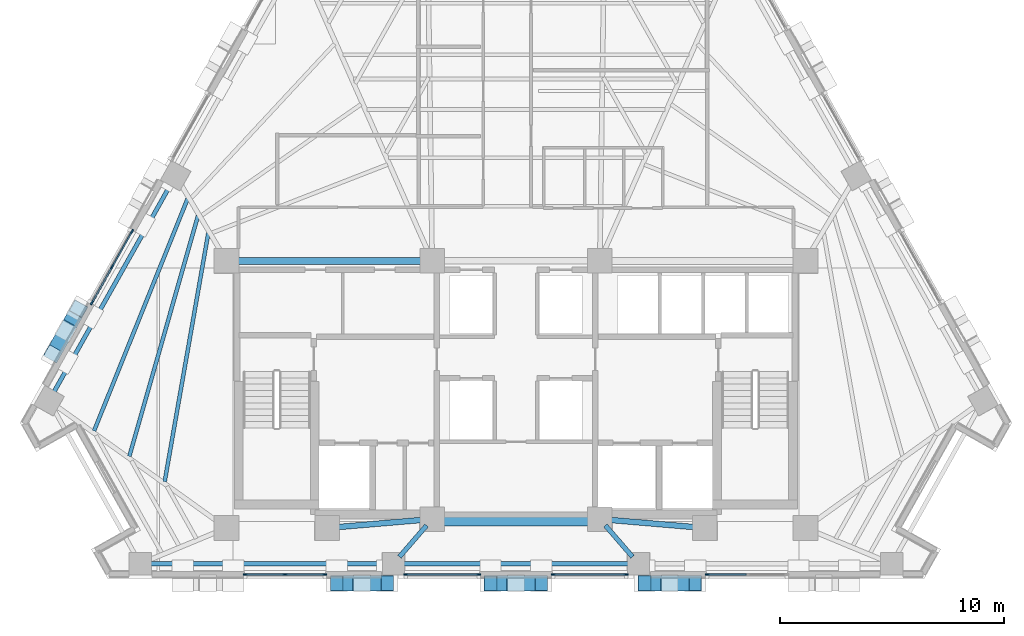
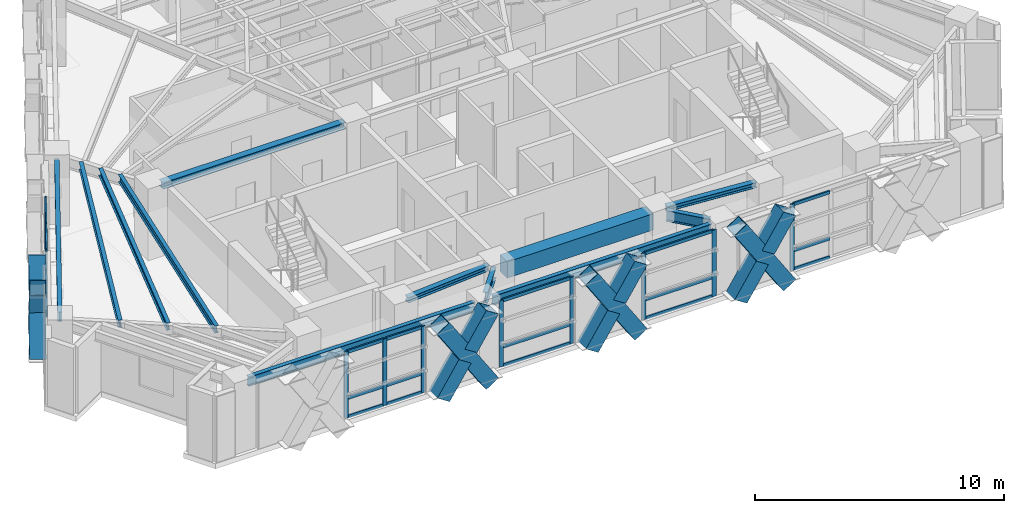
# One storey, part 2 of 14: 44 members, 12 beams, 5 elements without a shape of their own.
"""IFC4 building model written with IfcOpenShell, lengths in metres."""

from ifc_helpers import new_model, si_unit, direction, frame, origin, origin_2d, place, context, subcontext, project, spatial, rectangle, hollow_rectangle, i_section, extrude, material, material_profile, profile_set, type_object, element, aggregate, save


model = new_model("IFC4")

# Units and contexts
model_context = context("Model", 3, precision=1e-05, world=origin(), true_north=direction((0.0, 1.0)))
body_context = subcontext(model_context, "Body", "Model", "MODEL_VIEW")
ifc_project = project(units=[si_unit("LENGTHUNIT", "METRE"), si_unit("AREAUNIT", "SQUARE_METRE"), si_unit("VOLUMEUNIT", "CUBIC_METRE"), si_unit("PLANEANGLEUNIT", "RADIAN"), si_unit("MASSUNIT", "GRAM", prefix="KILO")], contexts=[model_context])

# Site, building, storey
site_placement = place(None, origin())
site = spatial("IfcSite", under=ifc_project, at=site_placement, CompositionType="ELEMENT")
building_placement = place(site_placement, origin())
building = spatial("IfcBuilding", under=site, at=building_placement, Name="Quenlor Broadcast Tower", CompositionType="ELEMENT")
storey_placement = place(building_placement, frame((0.0, 0.0, 144.0)))
storey = spatial("IfcBuildingStorey", under=building, at=storey_placement, Name="L39", CompositionType="ELEMENT", Elevation=144.0)

# Curtain wall, member
ifc_material_1 = material(Name="Architectural Terracotta and Low-E Glazing", Category="masonry")
curtain_wall_type = type_object("IfcCurtainWallType", Name="Unitised Terracotta Curtain Wall System Z3", PredefinedType="NOTDEFINED", material=ifc_material_1)
curtain_wall_1_placement = place(storey_placement, origin())
curtain_wall_1 = element("IfcCurtainWall", 1, at=curtain_wall_1_placement, inside=storey, type_object=curtain_wall_type, Name="L39 Curtain Wall CW3 (L39-SA-G1)", PredefinedType="NOTDEFINED")
ifc_material_2 = material(Name="Aluminium 6063-T6", Category="aluminium")
ifc_material_profile_1 = material_profile(ifc_material_2, rectangle(XDim=0.070068359375, YDim=0.18994140625, at=origin_2d()))
ifc_profile_set_1 = profile_set([ifc_material_profile_1], Name="Aluminium 6063-T6 MULL70x190")
member_type_1 = type_object("IfcMemberType", Name="CW3 Aluminium Mullion MULL_CW3", PredefinedType="MULLION", material=ifc_profile_set_1)
member_1_placement = place(storey_placement, frame((8.550048828125, -18.824951171875, 0.0), z_axis=(0.0, 0.0, 1.0), x_axis=(0.0, -1.0, 0.0)))
member_1 = element("IfcMember", 2, at=member_1_placement, type_object=member_type_1, Name="CW3 mullion 3", PredefinedType="MULLION", context=body_context, shape_type="SweptSolid", body=[
    extrude(rectangle(XDim=0.070068359375, YDim=0.18994140625, at=origin_2d()), origin(), (0.0, 0.0, 1.0), 3.25),
])

# Curtain wall, members
curtain_wall_2_placement = place(storey_placement, origin())
curtain_wall_2 = element("IfcCurtainWall", 3, at=curtain_wall_2_placement, inside=storey, type_object=curtain_wall_type, Name="L39 Curtain Wall CW3 (L39-SC-G1)", PredefinedType="NOTDEFINED")
member_2_placement = place(storey_placement, frame((-8.550048828125, -18.824951171875, 0.0), z_axis=(0.0, 0.0, 1.0), x_axis=(0.0, -1.0, 0.0)))
member_2 = element("IfcMember", 4, at=member_2_placement, type_object=member_type_1, Name="CW3 mullion 1", PredefinedType="MULLION", context=body_context, shape_type="SweptSolid", body=[
    extrude(rectangle(XDim=0.070068359375, YDim=0.18994140625, at=origin_2d()), origin(), (0.0, 0.0, 1.0), 3.25),
])
member_3_placement = place(storey_placement, frame((-10.33203125, -18.824951171875, 0.0), z_axis=(0.0, 0.0, 1.0), x_axis=(0.0, -1.0, 0.0)))
member_3 = element("IfcMember", 5, at=member_3_placement, type_object=member_type_1, Name="CW3 mullion 2", PredefinedType="MULLION", context=body_context, shape_type="SweptSolid", body=[
    extrude(rectangle(XDim=0.070068359375, YDim=0.18994140625, at=origin_2d()), origin(), (0.0, 0.0, 1.0), 3.25),
])
member_4_placement = place(storey_placement, frame((-12.114013671875, -18.824951171875, 0.0), z_axis=(0.0, 0.0, 1.0), x_axis=(0.0, -1.0, 0.0)))
member_4 = element("IfcMember", 6, at=member_4_placement, type_object=member_type_1, Name="CW3 mullion 3", PredefinedType="MULLION", context=body_context, shape_type="SweptSolid", body=[
    extrude(rectangle(XDim=0.070068359375, YDim=0.18994140625, at=origin_2d()), origin(), (0.0, 0.0, 1.0), 3.25),
])

curtain_wall_3_placement = place(storey_placement, origin())
curtain_wall_3 = element("IfcCurtainWall", 7, at=curtain_wall_3_placement, inside=storey, type_object=curtain_wall_type, Name="L39 Curtain Wall CW3 (L39-S-G1)", PredefinedType="NOTDEFINED")
member_5_placement = place(storey_placement, frame((4.926025390625, -18.824951171875, 0.0), z_axis=(0.0, 0.0, 1.0), x_axis=(0.0, -1.0, 0.0)))
member_5 = element("IfcMember", 8, at=member_5_placement, type_object=member_type_1, Name="CW3 mullion 1", PredefinedType="MULLION", context=body_context, shape_type="SweptSolid", body=[
    extrude(rectangle(XDim=0.070068359375, YDim=0.18994140625, at=origin_2d()), origin(), (0.0, 0.0, 1.0), 3.25),
])
member_6_placement = place(storey_placement, frame((1.662109375, -18.824951171875, 0.0), z_axis=(0.0, 0.0, 1.0), x_axis=(0.0, -1.0, 0.0)))
member_6 = element("IfcMember", 9, at=member_6_placement, type_object=member_type_1, Name="CW3 mullion 2", PredefinedType="MULLION", context=body_context, shape_type="SweptSolid", body=[
    extrude(rectangle(XDim=0.070068359375, YDim=0.18994140625, at=origin_2d()), origin(), (0.0, 0.0, 1.0), 3.25),
])

curtain_wall_4_placement = place(storey_placement, origin())
curtain_wall_4 = element("IfcCurtainWall", 10, at=curtain_wall_4_placement, inside=storey, type_object=curtain_wall_type, Name="L39 Curtain Wall CW3 (L39-S-G2)", PredefinedType="NOTDEFINED")
member_7_placement = place(storey_placement, frame((-1.662109375, -18.824951171875, 0.0), z_axis=(0.0, 0.0, 1.0), x_axis=(0.0, -1.0, 0.0)))
member_7 = element("IfcMember", 11, at=member_7_placement, type_object=member_type_1, Name="CW3 mullion 1", PredefinedType="MULLION", context=body_context, shape_type="SweptSolid", body=[
    extrude(rectangle(XDim=0.070068359375, YDim=0.18994140625, at=origin_2d()), origin(), (0.0, 0.0, 1.0), 3.25),
])
member_8_placement = place(storey_placement, frame((-4.926025390625, -18.824951171875, 0.0), z_axis=(0.0, 0.0, 1.0), x_axis=(0.0, -1.0, 0.0)))
member_8 = element("IfcMember", 12, at=member_8_placement, type_object=member_type_1, Name="CW3 mullion 2", PredefinedType="MULLION", context=body_context, shape_type="SweptSolid", body=[
    extrude(rectangle(XDim=0.070068359375, YDim=0.18994140625, at=origin_2d()), origin(), (0.0, 0.0, 1.0), 3.25),
])

curtain_wall_5_placement = place(storey_placement, origin())
curtain_wall_5 = element("IfcCurtainWall", 13, at=curtain_wall_5_placement, inside=storey, type_object=curtain_wall_type, Name="L39 Curtain Wall CW3 (L39-NWA-G1)", PredefinedType="NOTDEFINED")
member_9_placement = place(storey_placement, frame((-18.9677734375, -6.677490234375, 0.0), z_axis=(0.0, 0.0, 1.0), x_axis=(-0.871576967495, 0.490258696743, 0.0)))
member_9 = element("IfcMember", 14, at=member_9_placement, type_object=member_type_1, Name="CW3 mullion 1", PredefinedType="MULLION", context=body_context, shape_type="SweptSolid", body=[
    extrude(rectangle(XDim=0.070068359375, YDim=0.18994140625, at=origin_2d()), origin(), (0.0, 0.0, 1.0), 3.25),
])
member_10_placement = place(storey_placement, frame((-18.069580078125, -5.080810546875, 0.0), z_axis=(0.0, 0.0, 1.0), x_axis=(-0.871576967495, 0.490258696743, 0.0)))
member_10 = element("IfcMember", 15, at=member_10_placement, type_object=member_type_1, Name="CW3 mullion 2", PredefinedType="MULLION", context=body_context, shape_type="SweptSolid", body=[
    extrude(rectangle(XDim=0.070068359375, YDim=0.18994140625, at=origin_2d()), origin(), (0.0, 0.0, 1.0), 3.25),
])
member_11_placement = place(storey_placement, frame((-17.17138671875, -3.48388671875, 0.0), z_axis=(0.0, 0.0, 1.0), x_axis=(-0.871576967495, 0.490258696743, 0.0)))
member_11 = element("IfcMember", 16, at=member_11_placement, type_object=member_type_1, Name="CW3 mullion 3", PredefinedType="MULLION", context=body_context, shape_type="SweptSolid", body=[
    extrude(rectangle(XDim=0.070068359375, YDim=0.18994140625, at=origin_2d()), origin(), (0.0, 0.0, 1.0), 3.25),
])

# Member
ifc_material_3 = material(Name="Aluminium 6063-T6", Category="aluminium")
ifc_material_profile_2 = material_profile(ifc_material_3, rectangle(XDim=0.070068359375, YDim=0.155029296875, at=origin_2d()))
ifc_profile_set_2 = profile_set([ifc_material_profile_2], Name="Aluminium 6063-T6 TRAN70x155")
member_type_2 = type_object("IfcMemberType", Name="CW3 Aluminium Transom TRAN_CW3", PredefinedType="USERDEFINED", material=ifc_profile_set_2)
member_12_placement = place(storey_placement, frame((10.297119140625, -18.824951171875, 0.034912109375), z_axis=(-1.0, 0.0, 0.0), x_axis=(0.0, -1.0, 0.0)))
member_12 = element("IfcMember", 17, at=member_12_placement, type_object=member_type_2, Name="CW3 transom 2.1", ObjectType="TRANSOM", PredefinedType="USERDEFINED", context=body_context, shape_type="SweptSolid", body=[
    extrude(rectangle(XDim=0.070068359375, YDim=0.155029296875, at=origin_2d()), origin(), (0.0, 0.0, 1.0), 1.712158203125),
])

member_13_placement = place(storey_placement, frame((10.297119140625, -18.824951171875, 0.949951171875), z_axis=(-1.0, 0.0, 0.0), x_axis=(0.0, -1.0, 0.0)))
member_13 = element("IfcMember", 18, at=member_13_placement, type_object=member_type_2, Name="CW3 transom 2.2", ObjectType="TRANSOM", PredefinedType="USERDEFINED", context=body_context, shape_type="SweptSolid", body=[
    extrude(rectangle(XDim=0.070068359375, YDim=0.155029296875, at=origin_2d()), origin(), (0.0, 0.0, 1.0), 1.712158203125),
])

member_14_placement = place(storey_placement, frame((10.297119140625, -18.824951171875, 3.215087890625), z_axis=(-1.0, 0.0, 0.0), x_axis=(0.0, -1.0, 0.0)))
member_14 = element("IfcMember", 19, at=member_14_placement, type_object=member_type_2, Name="CW3 transom 2.3", ObjectType="TRANSOM", PredefinedType="USERDEFINED", context=body_context, shape_type="SweptSolid", body=[
    extrude(rectangle(XDim=0.070068359375, YDim=0.155029296875, at=origin_2d()), origin(), (0.0, 0.0, 1.0), 1.712158203125),
])

aggregate(curtain_wall_1, [member_1, member_12, member_13, member_14])

member_15_placement = place(storey_placement, frame((-8.5849609375, -18.824951171875, 0.034912109375), z_axis=(-1.0, 0.0, 0.0), x_axis=(0.0, -1.0, 0.0)))
member_15 = element("IfcMember", 20, at=member_15_placement, type_object=member_type_2, Name="CW3 transom 1.1", ObjectType="TRANSOM", PredefinedType="USERDEFINED", context=body_context, shape_type="SweptSolid", body=[
    extrude(rectangle(XDim=0.070068359375, YDim=0.155029296875, at=origin_2d()), origin(), (0.0, 0.0, 1.0), 1.712158203125),
])

member_16_placement = place(storey_placement, frame((-8.5849609375, -18.824951171875, 0.949951171875), z_axis=(-1.0, 0.0, 0.0), x_axis=(0.0, -1.0, 0.0)))
member_16 = element("IfcMember", 21, at=member_16_placement, type_object=member_type_2, Name="CW3 transom 1.2", ObjectType="TRANSOM", PredefinedType="USERDEFINED", context=body_context, shape_type="SweptSolid", body=[
    extrude(rectangle(XDim=0.070068359375, YDim=0.155029296875, at=origin_2d()), origin(), (0.0, 0.0, 1.0), 1.712158203125),
])

member_17_placement = place(storey_placement, frame((-8.5849609375, -18.824951171875, 3.215087890625), z_axis=(-1.0, 0.0, 0.0), x_axis=(0.0, -1.0, 0.0)))
member_17 = element("IfcMember", 22, at=member_17_placement, type_object=member_type_2, Name="CW3 transom 1.3", ObjectType="TRANSOM", PredefinedType="USERDEFINED", context=body_context, shape_type="SweptSolid", body=[
    extrude(rectangle(XDim=0.070068359375, YDim=0.155029296875, at=origin_2d()), origin(), (0.0, 0.0, 1.0), 1.712158203125),
])

member_18_placement = place(storey_placement, frame((-10.366943359375, -18.824951171875, 0.034912109375), z_axis=(-1.0, 0.0, 0.0), x_axis=(0.0, -1.0, 0.0)))
member_18 = element("IfcMember", 23, at=member_18_placement, type_object=member_type_2, Name="CW3 transom 2.1", ObjectType="TRANSOM", PredefinedType="USERDEFINED", context=body_context, shape_type="SweptSolid", body=[
    extrude(rectangle(XDim=0.070068359375, YDim=0.155029296875, at=origin_2d()), origin(), (0.0, 0.0, 1.0), 1.712158203125),
])

member_19_placement = place(storey_placement, frame((-10.366943359375, -18.824951171875, 0.949951171875), z_axis=(-1.0, 0.0, 0.0), x_axis=(0.0, -1.0, 0.0)))
member_19 = element("IfcMember", 24, at=member_19_placement, type_object=member_type_2, Name="CW3 transom 2.2", ObjectType="TRANSOM", PredefinedType="USERDEFINED", context=body_context, shape_type="SweptSolid", body=[
    extrude(rectangle(XDim=0.070068359375, YDim=0.155029296875, at=origin_2d()), origin(), (0.0, 0.0, 1.0), 1.712158203125),
])

member_20_placement = place(storey_placement, frame((-10.366943359375, -18.824951171875, 3.215087890625), z_axis=(-1.0, 0.0, 0.0), x_axis=(0.0, -1.0, 0.0)))
member_20 = element("IfcMember", 25, at=member_20_placement, type_object=member_type_2, Name="CW3 transom 2.3", ObjectType="TRANSOM", PredefinedType="USERDEFINED", context=body_context, shape_type="SweptSolid", body=[
    extrude(rectangle(XDim=0.070068359375, YDim=0.155029296875, at=origin_2d()), origin(), (0.0, 0.0, 1.0), 1.712158203125),
])

aggregate(curtain_wall_2, [member_2, member_3, member_4, member_15, member_16, member_17, member_18, member_19, member_20])

member_21_placement = place(storey_placement, frame((4.89111328125, -18.824951171875, 0.034912109375), z_axis=(-1.0, 0.0, 0.0), x_axis=(0.0, -1.0, 0.0)))
member_21 = element("IfcMember", 26, at=member_21_placement, type_object=member_type_2, Name="CW3 transom 1.1", ObjectType="TRANSOM", PredefinedType="USERDEFINED", context=body_context, shape_type="SweptSolid", body=[
    extrude(rectangle(XDim=0.070068359375, YDim=0.155029296875, at=origin_2d()), origin(), (0.0, 0.0, 1.0), 3.194091796875),
])

member_22_placement = place(storey_placement, frame((4.89111328125, -18.824951171875, 0.949951171875), z_axis=(-1.0, 0.0, 0.0), x_axis=(0.0, -1.0, 0.0)))
member_22 = element("IfcMember", 27, at=member_22_placement, type_object=member_type_2, Name="CW3 transom 1.2", ObjectType="TRANSOM", PredefinedType="USERDEFINED", context=body_context, shape_type="SweptSolid", body=[
    extrude(rectangle(XDim=0.070068359375, YDim=0.155029296875, at=origin_2d()), origin(), (0.0, 0.0, 1.0), 3.194091796875),
])

member_23_placement = place(storey_placement, frame((4.89111328125, -18.824951171875, 3.215087890625), z_axis=(-1.0, 0.0, 0.0), x_axis=(0.0, -1.0, 0.0)))
member_23 = element("IfcMember", 28, at=member_23_placement, type_object=member_type_2, Name="CW3 transom 1.3", ObjectType="TRANSOM", PredefinedType="USERDEFINED", context=body_context, shape_type="SweptSolid", body=[
    extrude(rectangle(XDim=0.070068359375, YDim=0.155029296875, at=origin_2d()), origin(), (0.0, 0.0, 1.0), 3.194091796875),
])

aggregate(curtain_wall_3, [member_5, member_6, member_21, member_22, member_23])

member_24_placement = place(storey_placement, frame((-1.697021484375, -18.824951171875, 0.034912109375), z_axis=(-1.0, 0.0, 0.0), x_axis=(0.0, -1.0, 0.0)))
member_24 = element("IfcMember", 29, at=member_24_placement, type_object=member_type_2, Name="CW3 transom 1.1", ObjectType="TRANSOM", PredefinedType="USERDEFINED", context=body_context, shape_type="SweptSolid", body=[
    extrude(rectangle(XDim=0.070068359375, YDim=0.155029296875, at=origin_2d()), origin(), (0.0, 0.0, 1.0), 3.194091796875),
])

member_25_placement = place(storey_placement, frame((-1.697021484375, -18.824951171875, 0.949951171875), z_axis=(-1.0, 0.0, 0.0), x_axis=(0.0, -1.0, 0.0)))
member_25 = element("IfcMember", 30, at=member_25_placement, type_object=member_type_2, Name="CW3 transom 1.2", ObjectType="TRANSOM", PredefinedType="USERDEFINED", context=body_context, shape_type="SweptSolid", body=[
    extrude(rectangle(XDim=0.070068359375, YDim=0.155029296875, at=origin_2d()), origin(), (0.0, 0.0, 1.0), 3.194091796875),
])

member_26_placement = place(storey_placement, frame((-1.697021484375, -18.824951171875, 3.215087890625), z_axis=(-1.0, 0.0, 0.0), x_axis=(0.0, -1.0, 0.0)))
member_26 = element("IfcMember", 31, at=member_26_placement, type_object=member_type_2, Name="CW3 transom 1.3", ObjectType="TRANSOM", PredefinedType="USERDEFINED", context=body_context, shape_type="SweptSolid", body=[
    extrude(rectangle(XDim=0.070068359375, YDim=0.155029296875, at=origin_2d()), origin(), (0.0, 0.0, 1.0), 3.194091796875),
])

aggregate(curtain_wall_4, [member_7, member_8, member_24, member_25, member_26])

member_27_placement = place(storey_placement, frame((-18.95068359375, -6.64697265625, 0.034912109375), z_axis=(0.490188879637, 0.871616235668, 0.0), x_axis=(-0.871616235668, 0.490188879637, 0.0)))
member_27 = element("IfcMember", 32, at=member_27_placement, type_object=member_type_2, Name="CW3 transom 1.1", ObjectType="TRANSOM", PredefinedType="USERDEFINED", context=body_context, shape_type="SweptSolid", body=[
    extrude(rectangle(XDim=0.070068359375, YDim=0.155029296875, at=origin_2d()), origin(), (0.0, 0.0, 1.0), 1.76220703125),
])

member_28_placement = place(storey_placement, frame((-18.95068359375, -6.64697265625, 0.949951171875), z_axis=(0.490188879637, 0.871616235668, 0.0), x_axis=(-0.871616235668, 0.490188879637, 0.0)))
member_28 = element("IfcMember", 33, at=member_28_placement, type_object=member_type_2, Name="CW3 transom 1.2", ObjectType="TRANSOM", PredefinedType="USERDEFINED", context=body_context, shape_type="SweptSolid", body=[
    extrude(rectangle(XDim=0.070068359375, YDim=0.155029296875, at=origin_2d()), origin(), (0.0, 0.0, 1.0), 1.76220703125),
])

member_29_placement = place(storey_placement, frame((-18.95068359375, -6.64697265625, 3.215087890625), z_axis=(0.490188879637, 0.871616235668, 0.0), x_axis=(-0.871616235668, 0.490188879637, 0.0)))
member_29 = element("IfcMember", 34, at=member_29_placement, type_object=member_type_2, Name="CW3 transom 1.3", ObjectType="TRANSOM", PredefinedType="USERDEFINED", context=body_context, shape_type="SweptSolid", body=[
    extrude(rectangle(XDim=0.070068359375, YDim=0.155029296875, at=origin_2d()), origin(), (0.0, 0.0, 1.0), 1.76220703125),
])

member_30_placement = place(storey_placement, frame((-18.052490234375, -5.05029296875, 0.034912109375), z_axis=(0.490188879637, 0.871616235668, 0.0), x_axis=(-0.871616235668, 0.490188879637, 0.0)))
member_30 = element("IfcMember", 35, at=member_30_placement, type_object=member_type_2, Name="CW3 transom 2.1", ObjectType="TRANSOM", PredefinedType="USERDEFINED", context=body_context, shape_type="SweptSolid", body=[
    extrude(rectangle(XDim=0.070068359375, YDim=0.155029296875, at=origin_2d()), origin(), (0.0, 0.0, 1.0), 1.76220703125),
])

member_31_placement = place(storey_placement, frame((-18.052490234375, -5.05029296875, 0.949951171875), z_axis=(0.490188879637, 0.871616235668, 0.0), x_axis=(-0.871616235668, 0.490188879637, 0.0)))
member_31 = element("IfcMember", 36, at=member_31_placement, type_object=member_type_2, Name="CW3 transom 2.2", ObjectType="TRANSOM", PredefinedType="USERDEFINED", context=body_context, shape_type="SweptSolid", body=[
    extrude(rectangle(XDim=0.070068359375, YDim=0.155029296875, at=origin_2d()), origin(), (0.0, 0.0, 1.0), 1.76220703125),
])

member_32_placement = place(storey_placement, frame((-18.052490234375, -5.05029296875, 3.215087890625), z_axis=(0.490188879637, 0.871616235668, 0.0), x_axis=(-0.871616235668, 0.490188879637, 0.0)))
member_32 = element("IfcMember", 37, at=member_32_placement, type_object=member_type_2, Name="CW3 transom 2.3", ObjectType="TRANSOM", PredefinedType="USERDEFINED", context=body_context, shape_type="SweptSolid", body=[
    extrude(rectangle(XDim=0.070068359375, YDim=0.155029296875, at=origin_2d()), origin(), (0.0, 0.0, 1.0), 1.76220703125),
])

aggregate(curtain_wall_5, [member_9, member_10, member_11, member_27, member_28, member_29, member_30, member_31, member_32])

# Beams
ifc_material_4 = material(Name="Concrete C50/60", Category="concrete")
ifc_material_profile_3 = material_profile(ifc_material_4, rectangle(XDim=0.60009765625, YDim=0.800048828125, at=origin_2d()))
ifc_profile_set_3 = profile_set([ifc_material_profile_3], Name="Concrete C50/60 RCB600x800")
beam_type_1 = type_object("IfcBeamType", Name="Core Coupling Beam Concrete C50/60 600x800", PredefinedType="BEAM", material=ifc_profile_set_3)
beam_1_placement = place(storey_placement, frame((-3.389892578125, -16.35009765625, 2.85009765625), z_axis=(1.0, 0.0, 0.0), x_axis=(0.0, 1.0, 0.0)))
element("IfcBeam", 38, at=beam_1_placement, inside=storey, type_object=beam_type_1, Name="L39 Core Coupling Beam 6", PredefinedType="BEAM", context=body_context, shape_type="SweptSolid", body=[
    extrude(rectangle(XDim=0.60009765625, YDim=0.800048828125, at=origin_2d()), origin(), (0.0, 0.0, 1.0), 6.77978515625),
])
ifc_material_5 = material(Name="Steel S355", Category="steel")
ifc_material_profile_4 = material_profile(ifc_material_5, i_section(OverallWidth=0.25390625, OverallDepth=0.25390625, WebThickness=0.008544921875, FlangeThickness=0.01416015625, FilletRadius=0.013916015625, at=origin_2d()))
ifc_profile_set_4 = profile_set([ifc_material_profile_4], Name="Steel S355 250UC72.9")
beam_type_2 = type_object("IfcBeamType", Name="Core Opening Lintel Beam Steel S355 250UC72.9", PredefinedType="LINTEL", material=ifc_profile_set_4)
for number, where, z_axis, x_axis, name in (
    (39, (-8.09130859375, -16.719482421875, 3.123046875), (0.996399763903, 0.084779186679, 0.0), (-0.084779186679, 0.996399763903, 0.0), "L39 Core Opening Lintel Beam 4"),
    (40, (4.108642578125, -16.380615234375, 3.123046875), (0.996399763903, -0.084779186679, 0.0), (0.084779186679, 0.996399763903, 0.0), "L39 Core Opening Lintel Beam 5"),
):
    element("IfcBeam", number, at=place(storey_placement, frame(where, z_axis=z_axis, x_axis=x_axis)), inside=storey, type_object=beam_type_2, Name=name, PredefinedType="LINTEL", context=body_context, shape_type="SweptSolid", body=[
        extrude(i_section(OverallWidth=0.25390625, OverallDepth=0.25390625, WebThickness=0.008544921875, FlangeThickness=0.01416015625, FilletRadius=0.013916015625, at=origin_2d()), origin(), (0.0, 0.0, 1.0), 3.9970703125),
    ])
ifc_material_6 = material(Name="Steel S355", Category="steel")
ifc_material_profile_5 = material_profile(ifc_material_6, i_section(OverallWidth=0.306884765625, OverallDepth=0.314697265625, WebThickness=0.011962890625, FlangeThickness=0.018798828125, FilletRadius=0.0166015625, at=origin_2d()))
ifc_profile_set_5 = profile_set([ifc_material_profile_5], Name="Steel S355 310UC118")
beam_type_3 = type_object("IfcBeamType", Name="Core Tie Beam Steel S355 310UC118", PredefinedType="BEAM", material=ifc_profile_set_5)
beam_2_placement = place(storey_placement, frame((-12.590087890625, -4.800048828125, 3.0927734375), z_axis=(1.0, 0.0, 0.0), x_axis=(0.0, 1.0, 0.0)))
element("IfcBeam", 41, at=beam_2_placement, inside=storey, type_object=beam_type_3, Name="L39 Core Tie Beam 1", PredefinedType="BEAM", context=body_context, shape_type="SweptSolid", body=[
    extrude(i_section(OverallWidth=0.306884765625, OverallDepth=0.314697265625, WebThickness=0.011962890625, FlangeThickness=0.018798828125, FilletRadius=0.0166015625, at=origin_2d()), origin(), (0.0, 0.0, 1.0), 8.47998046875),
])

# Members
ifc_material_7 = material(Name="Steel S355", Category="steel")
ifc_material_profile_6 = material_profile(ifc_material_7, hollow_rectangle(XDim=0.679931640625, YDim=0.679931640625, WallThickness=0.02490234375, at=origin_2d()))
ifc_profile_set_6 = profile_set([ifc_material_profile_6], Name="Steel S355 RHS680x680x25")
member_type_3 = type_object("IfcMemberType", Name="Perimeter Diagonal Lattice Brace Z3-Z4 Steel S355 RHS680x25", PredefinedType="BRACE", material=ifc_profile_set_6)
member_33_placement = place(storey_placement, frame((8.022216796875, -19.219970703125, -0.1201171875), z_axis=(-0.543860340502, 0.0, 0.839175744424), x_axis=(0.0, -1.0, 0.0)))
element("IfcMember", 42, at=member_33_placement, inside=storey, type_object=member_type_3, Name="L39 Perimeter Diamond Lattice S-C2XA", PredefinedType="BRACE", context=body_context, shape_type="SweptSolid", body=[
    extrude(hollow_rectangle(XDim=0.679931640625, YDim=0.679931640625, WallThickness=0.02490234375, at=origin_2d()), origin(), (0.0, 0.0, 1.0), 4.170654296875),
])
member_34_placement = place(storey_placement, frame((5.75390625, -19.219970703125, -0.1201171875), z_axis=(0.543786168213, 0.0, 0.839223809994), x_axis=(0.0, 1.0, 0.0)))
element("IfcMember", 43, at=member_34_placement, inside=storey, type_object=member_type_3, Name="L39 Perimeter Diamond Lattice S-C2XB1", PredefinedType="BRACE", context=body_context, shape_type="SweptSolid", body=[
    extrude(hollow_rectangle(XDim=0.679931640625, YDim=0.679931640625, WallThickness=0.02490234375, at=origin_2d()), origin(), (0.0, 0.0, 1.0), 1.83544921875),
])
member_35_placement = place(storey_placement, frame((7.02392578125, -19.219970703125, 1.83984375), z_axis=(0.543940555506, 0.0, 0.839123752539), x_axis=(0.0, 1.0, 0.0)))
element("IfcMember", 44, at=member_35_placement, inside=storey, type_object=member_type_3, Name="L39 Perimeter Diamond Lattice S-C2XB2", PredefinedType="BRACE", context=body_context, shape_type="SweptSolid", body=[
    extrude(hollow_rectangle(XDim=0.679931640625, YDim=0.679931640625, WallThickness=0.02490234375, at=origin_2d()), origin(), (0.0, 0.0, 1.0), 1.835205078125),
])
member_36_placement = place(storey_placement, frame((1.13427734375, -19.219970703125, -0.1201171875), z_axis=(-0.543901560697, 0.0, 0.839149028643), x_axis=(0.0, -1.0, 0.0)))
element("IfcMember", 45, at=member_36_placement, inside=storey, type_object=member_type_3, Name="L39 Perimeter Diamond Lattice S-C3XA", PredefinedType="BRACE", context=body_context, shape_type="SweptSolid", body=[
    extrude(hollow_rectangle(XDim=0.679931640625, YDim=0.679931640625, WallThickness=0.02490234375, at=origin_2d()), origin(), (0.0, 0.0, 1.0), 4.1708984375),
])
member_37_placement = place(storey_placement, frame((-1.13427734375, -19.219970703125, -0.1201171875), z_axis=(0.543879843653, 0.0, 0.83916310433), x_axis=(0.0, 1.0, 0.0)))
element("IfcMember", 46, at=member_37_placement, inside=storey, type_object=member_type_3, Name="L39 Perimeter Diamond Lattice S-C3XB1", PredefinedType="BRACE", context=body_context, shape_type="SweptSolid", body=[
    extrude(hollow_rectangle(XDim=0.679931640625, YDim=0.679931640625, WallThickness=0.02490234375, at=origin_2d()), origin(), (0.0, 0.0, 1.0), 1.83544921875),
])
member_38_placement = place(storey_placement, frame((0.135986328125, -19.219970703125, 1.83984375), z_axis=(0.543940555506, 0.0, 0.839123752539), x_axis=(0.0, 1.0, 0.0)))
element("IfcMember", 47, at=member_38_placement, inside=storey, type_object=member_type_3, Name="L39 Perimeter Diamond Lattice S-C3XB2", PredefinedType="BRACE", context=body_context, shape_type="SweptSolid", body=[
    extrude(hollow_rectangle(XDim=0.679931640625, YDim=0.679931640625, WallThickness=0.02490234375, at=origin_2d()), origin(), (0.0, 0.0, 1.0), 1.835205078125),
])
member_39_placement = place(storey_placement, frame((-5.75390625, -19.219970703125, -0.1201171875), z_axis=(-0.543860340502, 0.0, 0.839175744424), x_axis=(0.0, -1.0, 0.0)))
element("IfcMember", 48, at=member_39_placement, inside=storey, type_object=member_type_3, Name="L39 Perimeter Diamond Lattice S-C4XA", PredefinedType="BRACE", context=body_context, shape_type="SweptSolid", body=[
    extrude(hollow_rectangle(XDim=0.679931640625, YDim=0.679931640625, WallThickness=0.02490234375, at=origin_2d()), origin(), (0.0, 0.0, 1.0), 4.170654296875),
])
member_40_placement = place(storey_placement, frame((-8.022216796875, -19.219970703125, -0.1201171875), z_axis=(0.543879843653, 0.0, 0.83916310433), x_axis=(0.0, 1.0, 0.0)))
element("IfcMember", 49, at=member_40_placement, inside=storey, type_object=member_type_3, Name="L39 Perimeter Diamond Lattice S-C4XB1", PredefinedType="BRACE", context=body_context, shape_type="SweptSolid", body=[
    extrude(hollow_rectangle(XDim=0.679931640625, YDim=0.679931640625, WallThickness=0.02490234375, at=origin_2d()), origin(), (0.0, 0.0, 1.0), 1.83544921875),
])
member_41_placement = place(storey_placement, frame((-6.751953125, -19.219970703125, 1.83984375), z_axis=(0.543846878394, 0.0, 0.839184468911), x_axis=(0.0, 1.0, 0.0)))
element("IfcMember", 50, at=member_41_placement, inside=storey, type_object=member_type_3, Name="L39 Perimeter Diamond Lattice S-C4XB2", PredefinedType="BRACE", context=body_context, shape_type="SweptSolid", body=[
    extrude(hollow_rectangle(XDim=0.679931640625, YDim=0.679931640625, WallThickness=0.02490234375, at=origin_2d()), origin(), (0.0, 0.0, 1.0), 1.835205078125),
])
member_42_placement = place(storey_placement, frame((-20.705810546875, -8.96142578125, -0.1201171875), z_axis=(0.2705491942, 0.481008661973, 0.833926735766), x_axis=(-0.871589611547, 0.490236217596, 0.0)))
element("IfcMember", 51, at=member_42_placement, inside=storey, type_object=member_type_3, Name="L39 Perimeter Diamond Lattice NW-C1XA", PredefinedType="BRACE", context=body_context, shape_type="SweptSolid", body=[
    extrude(hollow_rectangle(XDim=0.679931640625, YDim=0.679931640625, WallThickness=0.02490234375, at=origin_2d()), origin(), (0.0, 0.0, 1.0), 4.197021484375),
])
member_43_placement = place(storey_placement, frame((-19.5703125, -6.942626953125, -0.1201171875), z_axis=(-0.270494026149, -0.481025021111, 0.833935195853), x_axis=(0.871639445711, -0.490147607034, 0.0)))
element("IfcMember", 52, at=member_43_placement, inside=storey, type_object=member_type_3, Name="L39 Perimeter Diamond Lattice NW-C1XB1", PredefinedType="BRACE", context=body_context, shape_type="SweptSolid", body=[
    extrude(hollow_rectangle(XDim=0.679931640625, YDim=0.679931640625, WallThickness=0.02490234375, at=origin_2d()), origin(), (0.0, 0.0, 1.0), 1.848388671875),
])
member_44_placement = place(storey_placement, frame((-20.20556640625, -8.072265625, 1.83837890625), z_axis=(-0.270616433058, -0.481007832697, 0.833905396938), x_axis=(0.871537189362, -0.490329407194, 0.0)))
element("IfcMember", 53, at=member_44_placement, inside=storey, type_object=member_type_3, Name="L39 Perimeter Diamond Lattice NW-C1XB2", PredefinedType="BRACE", context=body_context, shape_type="SweptSolid", body=[
    extrude(hollow_rectangle(XDim=0.679931640625, YDim=0.679931640625, WallThickness=0.02490234375, at=origin_2d()), origin(), (0.0, 0.0, 1.0), 1.8486328125),
])

# Beams
ifc_material_8 = material(Name="Steel S355", Category="steel")
ifc_material_profile_7 = material_profile(ifc_material_8, i_section(OverallWidth=0.19091796875, OverallDepth=0.46044921875, WebThickness=0.010009765625, FlangeThickness=0.01611328125, FilletRadius=0.011474609375, at=origin_2d()))
ifc_profile_set_7 = profile_set([ifc_material_profile_7], Name="Steel S355 460UB82.1")
beam_type_4 = type_object("IfcBeamType", Name="Perimeter Spandrel Beam Z3 Steel S355 460UB82.1", PredefinedType="SPANDREL", material=ifc_profile_set_7)
beam_3_placement = place(storey_placement, frame((-16.3984375, -18.35009765625, 3.019775390625), z_axis=(1.0, 0.0, 0.0), x_axis=(0.0, 1.0, 0.0)))
element("IfcBeam", 54, at=beam_3_placement, inside=storey, type_object=beam_type_4, Name="L39 Spandrel Beam S1-S2", PredefinedType="SPANDREL", context=body_context, shape_type="SweptSolid", body=[
    extrude(i_section(OverallWidth=0.19091796875, OverallDepth=0.46044921875, WebThickness=0.010009765625, FlangeThickness=0.01611328125, FilletRadius=0.011474609375, at=origin_2d()), origin(), (0.0, 0.0, 1.0), 10.50732421875),
])
beam_4_placement = place(storey_placement, frame((-5.071044921875, -18.35009765625, 3.019775390625), z_axis=(1.0, 0.0, 0.0), x_axis=(0.0, 1.0, 0.0)))
element("IfcBeam", 55, at=beam_4_placement, inside=storey, type_object=beam_type_4, Name="L39 Spandrel Beam S2-S3", PredefinedType="SPANDREL", context=body_context, shape_type="SweptSolid", body=[
    extrude(i_section(OverallWidth=0.19091796875, OverallDepth=0.46044921875, WebThickness=0.010009765625, FlangeThickness=0.01611328125, FilletRadius=0.011474609375, at=origin_2d()), origin(), (0.0, 0.0, 1.0), 10.14208984375),
])
beam_5_placement = place(storey_placement, frame((-15.425048828125, -1.347900390625, 3.019775390625), z_axis=(-0.490257999604, -0.871577359633, 0.0), x_axis=(0.871577359633, -0.490257999604, 0.0)))
element("IfcBeam", 56, at=beam_5_placement, inside=storey, type_object=beam_type_4, Name="L39 Spandrel Beam NW3-NW4", PredefinedType="SPANDREL", context=body_context, shape_type="SweptSolid", body=[
    extrude(i_section(OverallWidth=0.19091796875, OverallDepth=0.46044921875, WebThickness=0.010009765625, FlangeThickness=0.01611328125, FilletRadius=0.011474609375, at=origin_2d()), origin(), (0.0, 0.0, 1.0), 10.732666015625),
])
ifc_material_9 = material(Name="Steel S355", Category="steel")
ifc_material_profile_8 = material_profile(ifc_material_9, i_section(OverallWidth=0.172119140625, OverallDepth=0.358642578125, WebThickness=0.008056640625, FlangeThickness=0.012939453125, FilletRadius=0.011474609375, at=origin_2d()))
ifc_profile_set_8 = profile_set([ifc_material_profile_8], Name="Steel S355 360UB56.7")
beam_type_5 = type_object("IfcBeamType", Name="Tower Composite Joist Z2-Z3 Steel S355 360UB56.7", PredefinedType="JOIST", material=ifc_profile_set_8)
beam_6_placement = place(storey_placement, frame((-15.71435546875, -14.679443359375, 3.07080078125), z_axis=(0.172906811417, 0.984938188195, 0.0), x_axis=(-0.984938188195, 0.172906811417, 0.0)))
element("IfcBeam", 57, at=beam_6_placement, inside=storey, type_object=beam_type_5, Name="L39 Secondary Composite Joist 13", PredefinedType="JOIST", context=body_context, shape_type="SweptSolid", body=[
    extrude(i_section(OverallWidth=0.172119140625, OverallDepth=0.358642578125, WebThickness=0.008056640625, FlangeThickness=0.012939453125, FilletRadius=0.011474609375, at=origin_2d()), origin(), (0.0, 0.0, 1.0), 11.30419921875),
])
beam_7_placement = place(storey_placement, frame((-17.293701171875, -13.543212890625, 3.07080078125), z_axis=(0.274418577045, 0.961610339261, 0.0), x_axis=(-0.961610339261, 0.274418577045, 0.0)))
element("IfcBeam", 58, at=beam_7_placement, inside=storey, type_object=beam_type_5, Name="L39 Secondary Composite Joist 14", PredefinedType="JOIST", context=body_context, shape_type="SweptSolid", body=[
    extrude(i_section(OverallWidth=0.172119140625, OverallDepth=0.358642578125, WebThickness=0.008056640625, FlangeThickness=0.012939453125, FilletRadius=0.011474609375, at=origin_2d()), origin(), (0.0, 0.0, 1.0), 11.191162109375),
])
beam_8_placement = place(storey_placement, frame((-18.873291015625, -12.407958984375, 3.07080078125), z_axis=(0.373824118901, 0.927499610851, 0.0), x_axis=(-0.927499610851, 0.373824118901, 0.0)))
element("IfcBeam", 59, at=beam_8_placement, inside=storey, type_object=beam_type_5, Name="L39 Secondary Composite Joist 15", PredefinedType="JOIST", context=body_context, shape_type="SweptSolid", body=[
    extrude(i_section(OverallWidth=0.172119140625, OverallDepth=0.358642578125, WebThickness=0.008056640625, FlangeThickness=0.012939453125, FilletRadius=0.011474609375, at=origin_2d()), origin(), (0.0, 0.0, 1.0), 11.203125),
])
ifc_material_10 = material(Name="Steel S355", Category="steel")
ifc_material_profile_9 = material_profile(ifc_material_10, i_section(OverallWidth=0.208984375, OverallDepth=0.532958984375, WebThickness=0.01025390625, FlangeThickness=0.015625, FilletRadius=0.013916015625, at=origin_2d()))
ifc_profile_set_9 = profile_set([ifc_material_profile_9], Name="Steel S355 530UB92.4")
beam_type_6 = type_object("IfcBeamType", Name="Tower Primary Floor Beam Z3 Steel S355 530UB92.4", PredefinedType="BEAM", material=ifc_profile_set_9)
for number, where, z_axis, x_axis, name in (
    (60, (-5.212646484375, -18.0400390625, 2.9833984375), (0.654339118401, 0.75620124182, 0.0), (-0.75620124182, 0.654339118401, 0.0), "L39 Primary Radial Beam S2"),
    (61, (5.212646484375, -18.0400390625, 2.9833984375), (-0.654339118401, 0.75620124182, 0.0), (-0.75620124182, -0.654339118401, 0.0), "L39 Primary Radial Beam S3"),
):
    element("IfcBeam", number, at=place(storey_placement, frame(where, z_axis=z_axis, x_axis=x_axis)), inside=storey, type_object=beam_type_6, Name=name, PredefinedType="BEAM", context=body_context, shape_type="SweptSolid", body=[
        extrude(i_section(OverallWidth=0.208984375, OverallDepth=0.532958984375, WebThickness=0.01025390625, FlangeThickness=0.015625, FilletRadius=0.013916015625, at=origin_2d()), origin(), (0.0, 0.0, 1.0), 1.855224609375),
    ])

save(model, "model.ifc")
